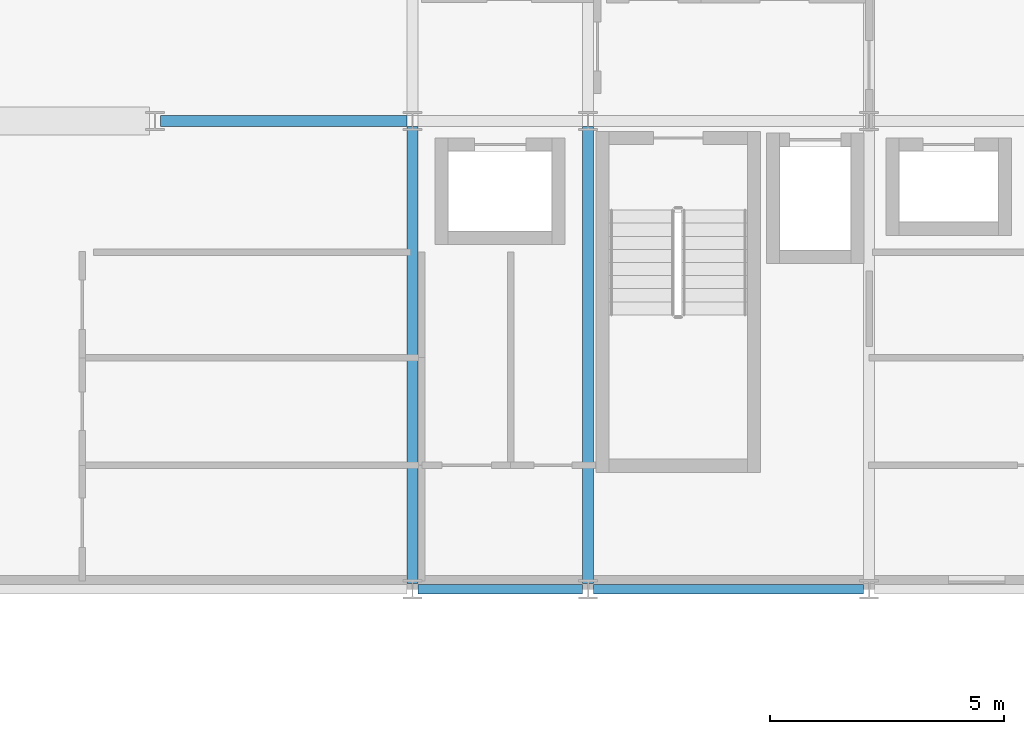
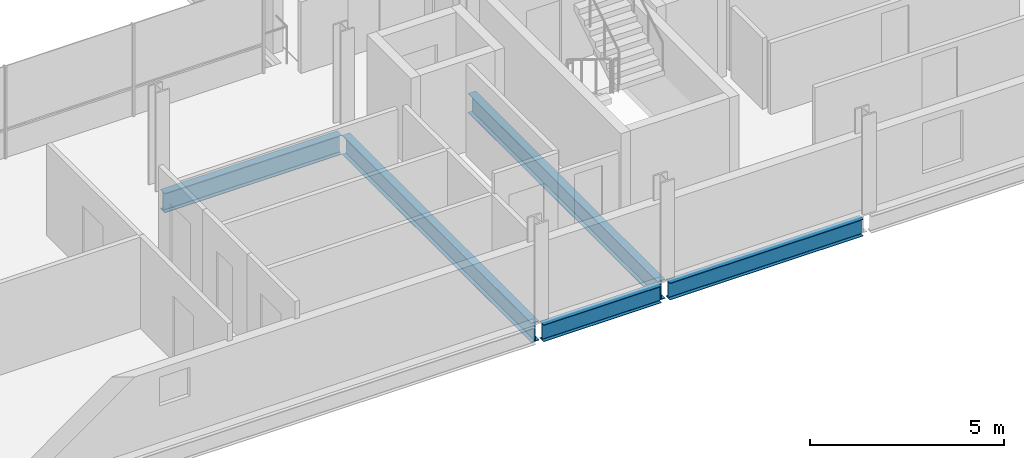
# One storey, part 14 of 41: 5 beams.
"""IFC4 building model written with IfcOpenShell, lengths in metres."""

from ifc_helpers import new_model, si_unit, direction, frame, origin, origin_2d, place, context, subcontext, project, spatial, i_section, extrude, material, material_profile, profile_set, type_object, element, save


model = new_model("IFC4")

# Units and contexts
model_context = context("Model", 3, precision=1e-05, world=origin(), true_north=direction((0.0, 1.0)))
body_context = subcontext(model_context, "Body", "Model", "MODEL_VIEW")
ifc_project = project(units=[si_unit("LENGTHUNIT", "METRE"), si_unit("AREAUNIT", "SQUARE_METRE"), si_unit("VOLUMEUNIT", "CUBIC_METRE"), si_unit("PLANEANGLEUNIT", "RADIAN"), si_unit("MASSUNIT", "GRAM", prefix="KILO")], contexts=[model_context])

# Site, building, storey
site_placement = place(None, origin())
site = spatial("IfcSite", under=ifc_project, at=site_placement, CompositionType="ELEMENT")
building_placement = place(site_placement, origin())
building = spatial("IfcBuilding", under=site, at=building_placement, Name="Brevholm Reach", CompositionType="ELEMENT")
storey_placement = place(building_placement, frame((0.0, 0.0, 151.10009765625)))
storey = spatial("IfcBuildingStorey", under=building, at=storey_placement, Name="L45", CompositionType="ELEMENT", Elevation=151.10009765625)

# Beams
ifc_material_1 = material(Name="Structural Steel S355J2", Category="steel")
ifc_material_profile_1 = material_profile(ifc_material_1, i_section(OverallWidth=0.209228515625, OverallDepth=0.533203125, WebThickness=0.010009765625, FlangeThickness=0.015625, FilletRadius=0.0126953125, at=origin_2d()), Name="UKB 533x210x92")
ifc_profile_set_1 = profile_set([ifc_material_profile_1], Name="Structural Steel S355J2")
beam_type_1 = type_object("IfcBeamType", Name="BM-SP533", PredefinedType="SPANDREL", material=ifc_profile_set_1)
beam_1_placement = place(storey_placement, frame((38.3701171875, 0.0, -0.486572265625), z_axis=(1.0, 0.0, 0.0), x_axis=(0.0, 1.0, 0.0)))
element("IfcBeam", 1, at=beam_1_placement, inside=storey, type_object=beam_type_1, Name="L45 SP-02 Framing Beam", PredefinedType="SPANDREL", context=body_context, shape_type="SweptSolid", body=[
    extrude(i_section(OverallWidth=0.209228515625, OverallDepth=0.533203125, WebThickness=0.010009765625, FlangeThickness=0.015625, FilletRadius=0.0126953125, at=origin_2d()), origin(), (0.0, 0.0, 1.0), 3.509765625),
])
beam_2_placement = place(storey_placement, frame((42.1201171875, 0.0, -0.486572265625), z_axis=(1.0, 0.0, 0.0), x_axis=(0.0, 1.0, 0.0)))
element("IfcBeam", 2, at=beam_2_placement, inside=storey, type_object=beam_type_1, Name="L45 SP-02 Framing Beam", PredefinedType="SPANDREL", context=body_context, shape_type="SweptSolid", body=[
    extrude(i_section(OverallWidth=0.209228515625, OverallDepth=0.533203125, WebThickness=0.010009765625, FlangeThickness=0.015625, FilletRadius=0.0126953125, at=origin_2d()), origin(), (0.0, 0.0, 1.0), 5.759765625),
])
ifc_material_2 = material(Name="Structural Steel S355J2", Category="steel")
ifc_material_profile_2 = material_profile(ifc_material_2, i_section(OverallWidth=0.22900390625, OverallDepth=0.6123046875, WebThickness=0.011962890625, FlangeThickness=0.01953125, FilletRadius=0.0126953125, at=origin_2d()), Name="UKB 610x229x125")
ifc_profile_set_2 = profile_set([ifc_material_profile_2], Name="Structural Steel S355J2")
beam_type_2 = type_object("IfcBeamType", Name="BM-SP610", PredefinedType="SPANDREL", material=ifc_profile_set_2)
beam_3_placement = place(storey_placement, frame((32.8701171875, 10.0, -0.526123046875), z_axis=(1.0, 0.0, 0.0), x_axis=(0.0, 1.0, 0.0)))
element("IfcBeam", 3, at=beam_3_placement, inside=storey, type_object=beam_type_2, Name="L45 SP-01 Framing Beam", PredefinedType="SPANDREL", context=body_context, shape_type="SweptSolid", body=[
    extrude(i_section(OverallWidth=0.22900390625, OverallDepth=0.6123046875, WebThickness=0.011962890625, FlangeThickness=0.01953125, FilletRadius=0.0126953125, at=origin_2d()), origin(), (0.0, 0.0, 1.0), 5.259765625),
])
for number, where, z_axis, x_axis, name in (
    (4, (38.25, 0.1201171875, -0.526123046875), (0.0, 1.0, 0.0), (-1.0, 0.0, 0.0), "L45 SP-01 Framing Beam"),
    (5, (42.0, 0.1201171875, -0.526123046875), (0.0, 1.0, 0.0), (-1.0, 0.0, 0.0), "L45 SP-01 Framing Beam"),
):
    element("IfcBeam", number, at=place(storey_placement, frame(where, z_axis=z_axis, x_axis=x_axis)), inside=storey, type_object=beam_type_2, Name=name, PredefinedType="SPANDREL", context=body_context, shape_type="SweptSolid", body=[
        extrude(i_section(OverallWidth=0.22900390625, OverallDepth=0.6123046875, WebThickness=0.011962890625, FlangeThickness=0.01953125, FilletRadius=0.0126953125, at=origin_2d()), origin(), (0.0, 0.0, 1.0), 9.759765625),
    ])

save(model, "model.ifc")
